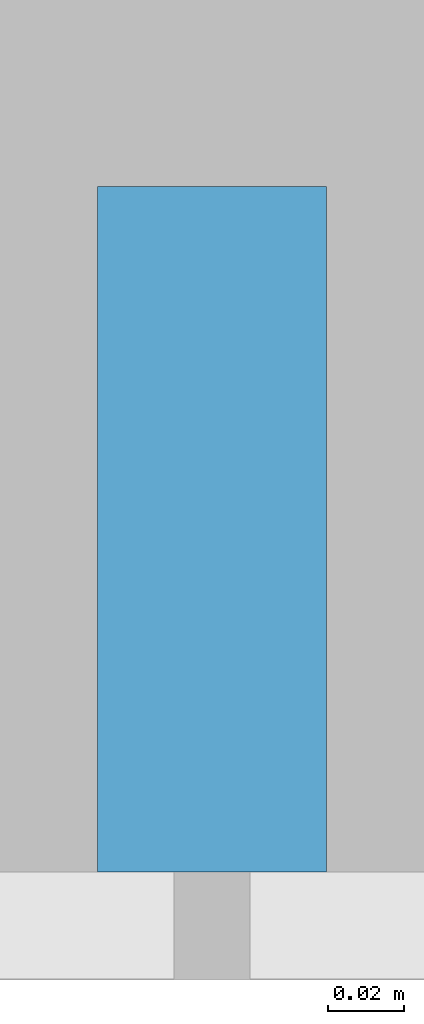
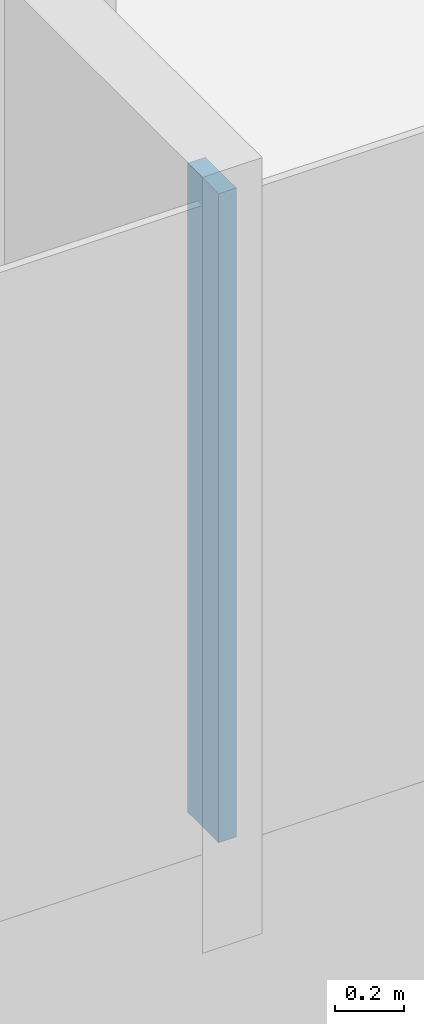
# One storey, part 3 of 25: 1 member, 1 element without a shape of its own.
"""IFC4 building model written with IfcOpenShell, lengths in metres."""

from ifc_helpers import new_model, si_unit, direction, frame, origin, origin_2d, place, context, subcontext, project, spatial, rectangle, extrude, material, layer, layer_set, material_profile, profile_set, type_object, element, aggregate, save


model = new_model("IFC4")

# Units and contexts
model_context = context("Model", 3, precision=1e-05, world=origin(), true_north=direction((0.0, 1.0)))
body_context = subcontext(model_context, "Body", "Model", "MODEL_VIEW")
ifc_project = project(units=[si_unit("LENGTHUNIT", "METRE"), si_unit("AREAUNIT", "SQUARE_METRE"), si_unit("VOLUMEUNIT", "CUBIC_METRE"), si_unit("PLANEANGLEUNIT", "RADIAN"), si_unit("MASSUNIT", "GRAM", prefix="KILO")], contexts=[model_context])

# Site, building, storey
site_placement = place(None, origin())
site = spatial("IfcSite", under=ifc_project, at=site_placement, CompositionType="ELEMENT")
building_placement = place(site_placement, origin())
building = spatial("IfcBuilding", under=site, at=building_placement, Name="Hakoniwa Tower and Hamabe Station Hall", CompositionType="ELEMENT")
storey_placement = place(building_placement, frame((0.0, 0.0, 186.60009765625)))
storey = spatial("IfcBuildingStorey", under=building, at=storey_placement, Name="L52", CompositionType="ELEMENT", Elevation=186.60009765625)

# Curtain wall, member
ifc_material_1 = material(Name="Dark low-e laminated glass", Category="glass")
ifc_layer = layer(ifc_material_1, 0.199951171875)
ifc_layer_set = layer_set([ifc_layer], Name="CW-1 UNITISED GUEST")
curtain_wall_type = type_object("IfcCurtainWallType", Name="CW-1 UNITISED GUEST", PredefinedType="NOTDEFINED", material=ifc_layer_set)
curtain_wall_placement = place(storey_placement, origin())
curtain_wall = element("IfcCurtainWall", 1, at=curtain_wall_placement, inside=storey, type_object=curtain_wall_type, Name="CW-1 curtain wall", PredefinedType="NOTDEFINED")
ifc_material_2 = material(Name="Aluminium 6063-T5 black anodised", Category="aluminium")
ifc_material_profile = material_profile(ifc_material_2, rectangle(XDim=0.06005859375, YDim=0.179931640625, at=origin_2d()), Name="CW-1 MULLION 60X180")
ifc_profile_set = profile_set([ifc_material_profile], Name="Aluminium 6063-T5 black anodised")
member_type = type_object("IfcMemberType", Name="CW-1 MULLION 60X180", PredefinedType="MULLION", material=ifc_profile_set)
member_placement = place(storey_placement, frame((0.0, -15.431884765625, 0.349853515625), z_axis=(0.0, 0.0, 1.0), x_axis=(1.0, 0.0, 0.0)))
member = element("IfcMember", 2, at=member_placement, type_object=member_type, Name="CW-1 mullion", PredefinedType="MULLION", context=body_context, shape_type="SweptSolid", body=[
    extrude(rectangle(XDim=0.06005859375, YDim=0.179931640625, at=origin_2d()), origin(), (0.0, 0.0, 1.0), 2.300048828125),
])
aggregate(curtain_wall, [member])

save(model, "model.ifc")
